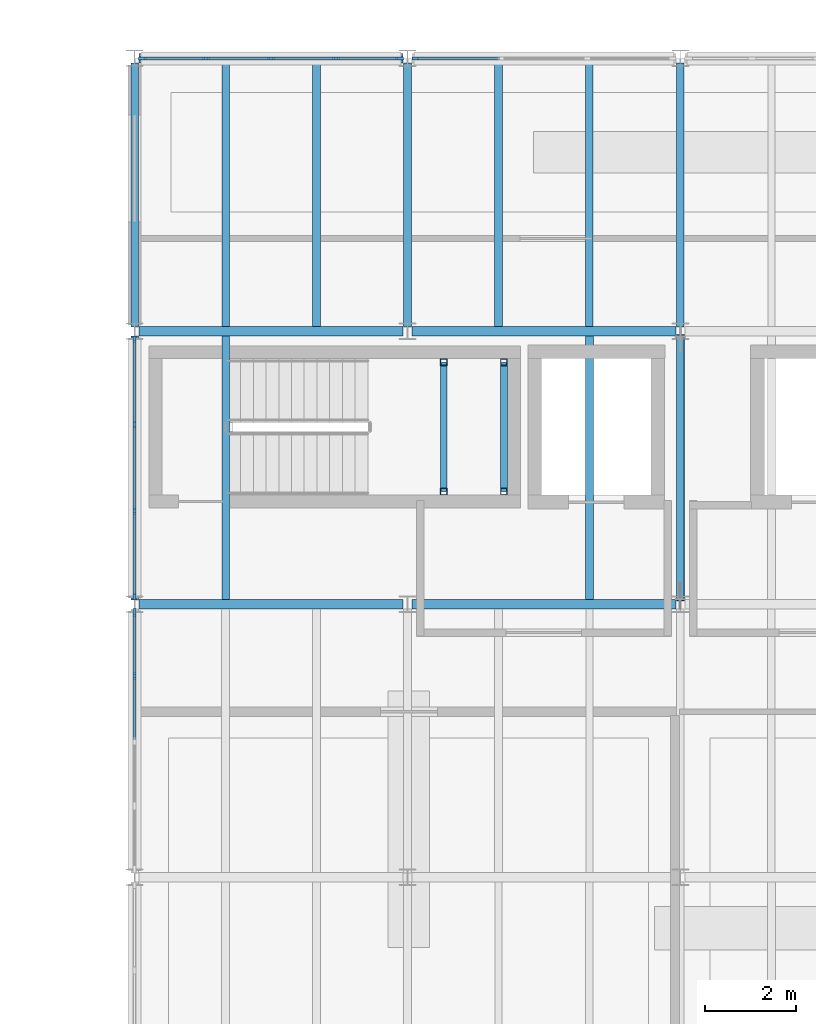
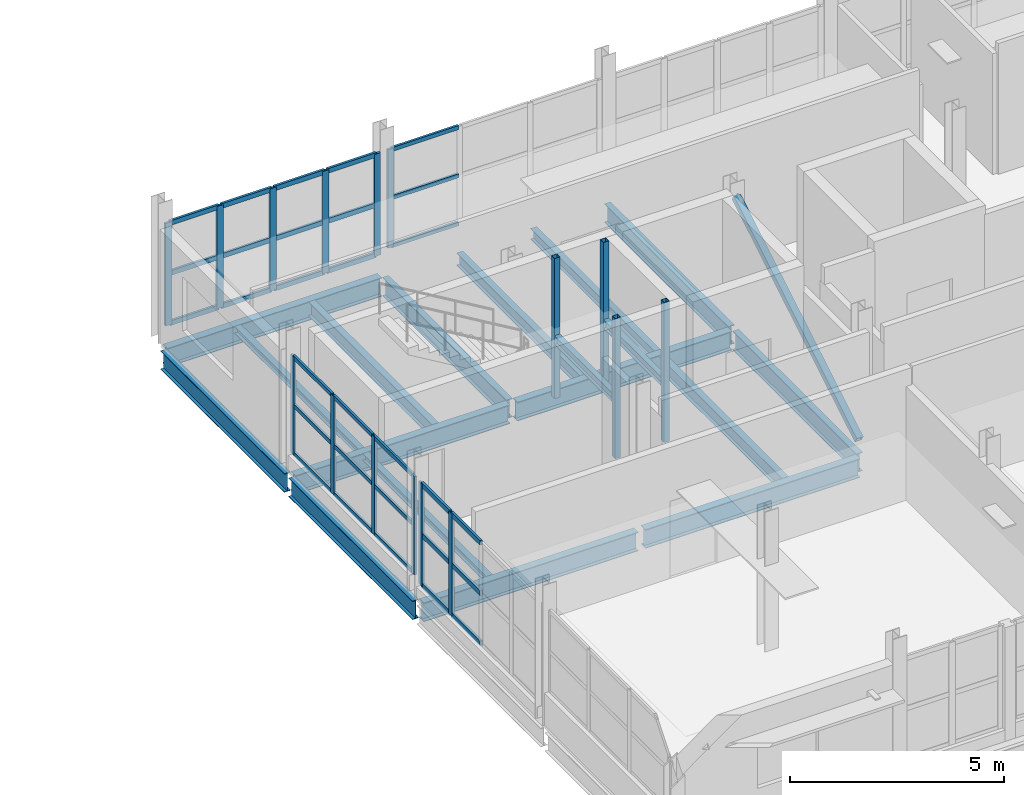
# One storey, part 17 of 45: 47 members, 18 beams, 4 elements without a shape of their own.
"""IFC4 building model written with IfcOpenShell, lengths in metres."""

from ifc_helpers import new_model, si_unit, direction, frame, origin, origin_2d, place, context, subcontext, project, spatial, rectangle, hollow_rectangle, i_section, extrude, material, material_profile, profile_set, type_object, element, aggregate, save


model = new_model("IFC4")

# Units and contexts
model_context = context("Model", 3, precision=1e-05, world=origin(), true_north=direction((0.0, 1.0)))
body_context = subcontext(model_context, "Body", "Model", "MODEL_VIEW")
ifc_project = project(units=[si_unit("LENGTHUNIT", "METRE"), si_unit("AREAUNIT", "SQUARE_METRE"), si_unit("VOLUMEUNIT", "CUBIC_METRE"), si_unit("PLANEANGLEUNIT", "RADIAN"), si_unit("MASSUNIT", "GRAM", prefix="KILO")], contexts=[model_context])

# Site, building, storey
site_placement = place(None, origin())
site = spatial("IfcSite", under=ifc_project, at=site_placement, CompositionType="ELEMENT")
building_placement = place(site_placement, origin())
building = spatial("IfcBuilding", under=site, at=building_placement, Name="Siltcreek Boulevard Central Fire Station", CompositionType="ELEMENT")
storey_placement = place(building_placement, frame((0.0, 0.0, 10.0)))
storey = spatial("IfcBuildingStorey", under=building, at=storey_placement, Name="L03", CompositionType="ELEMENT", Elevation=10.0)

# Beams
ifc_material_1 = material(Name="Structural steel ASTM A992 Gr50", Category="steel")
ifc_material_profile_1 = material_profile(ifc_material_1, i_section(OverallWidth=0.2109375, OverallDepth=0.5390625, WebThickness=0.01171875, FlangeThickness=0.018798828125, at=origin_2d()), Name="W530X109")
ifc_profile_set_1 = profile_set([ifc_material_profile_1], Name="Structural steel ASTM A992 Gr50")
beam_type_1 = type_object("IfcBeamType", Name="BM_W530X109", PredefinedType="BEAM", material=ifc_profile_set_1)
for number, where, z_axis, x_axis, name in (
    (1, (124.300048828125, 100.199951171875, -0.549560546875), (1.0, 0.0, 0.0), (0.0, 1.0, 0.0), "L03 primary steel girder GX-0414"),
    (2, (130.300048828125, 100.199951171875, -0.549560546875), (1.0, 0.0, 0.0), (0.0, 1.0, 0.0), "L03 primary steel girder GX-0415"),
    (3, (124.300048828125, 106.199951171875, -0.549560546875), (1.0, 0.0, 0.0), (0.0, 1.0, 0.0), "L03 primary steel girder GX-0421"),
    (4, (130.300048828125, 106.199951171875, -0.549560546875), (1.0, 0.0, 0.0), (0.0, 1.0, 0.0), "L03 primary steel girder GX-0422"),
    (5, (124.300048828125, 112.199951171875, -0.549560546875), (1.0, 0.0, 0.0), (0.0, 1.0, 0.0), "L03 primary steel girder GX-0428"),
):
    element("IfcBeam", number, at=place(storey_placement, frame(where, z_axis=z_axis, x_axis=x_axis)), inside=storey, type_object=beam_type_1, Name=name, PredefinedType="BEAM", context=body_context, shape_type="SweptSolid", body=[
        extrude(i_section(OverallWidth=0.2109375, OverallDepth=0.5390625, WebThickness=0.01171875, FlangeThickness=0.018798828125, at=origin_2d()), origin(), (0.0, 0.0, 1.0), 5.800048828125),
    ])
ifc_material_profile_2 = material_profile(ifc_material_1, i_section(OverallWidth=0.166015625, OverallDepth=0.534912109375, WebThickness=0.01025390625, FlangeThickness=0.0166015625, at=origin_2d()), Name="W530X85")
ifc_profile_set_2 = profile_set([ifc_material_profile_2], Name="Structural steel ASTM A992 Gr50")
beam_type_2 = type_object("IfcBeamType", Name="BM_W530X85", PredefinedType="BEAM", material=ifc_profile_set_2)
for number, where, z_axis, x_axis, name in (
    (6, (124.199951171875, 100.300048828125, -0.547607421875), (0.0, 1.0, 0.0), (-1.0, 0.0, 0.0), "L03 primary steel girder GY-0437"),
    (7, (124.199951171875, 106.300048828125, -0.547607421875), (0.0, 1.0, 0.0), (-1.0, 0.0, 0.0), "L03 primary steel girder GY-0438"),
    (8, (130.199951171875, 106.300048828125, -0.547607421875), (0.0, 1.0, 0.0), (-1.0, 0.0, 0.0), "L03 primary steel girder GY-0441"),
    (9, (136.199951171875, 100.300048828125, -0.547607421875), (0.0, 1.0, 0.0), (-1.0, 0.0, 0.0), "L03 primary steel girder GY-0444"),
    (10, (136.199951171875, 106.300048828125, -0.547607421875), (0.0, 1.0, 0.0), (-1.0, 0.0, 0.0), "L03 primary steel girder GY-0445"),
):
    element("IfcBeam", number, at=place(storey_placement, frame(where, z_axis=z_axis, x_axis=x_axis)), inside=storey, type_object=beam_type_2, Name=name, PredefinedType="BEAM", context=body_context, shape_type="SweptSolid", body=[
        extrude(i_section(OverallWidth=0.166015625, OverallDepth=0.534912109375, WebThickness=0.01025390625, FlangeThickness=0.0166015625, at=origin_2d()), origin(), (0.0, 0.0, 1.0), 5.800048828125),
    ])

# Members
ifc_material_2 = material(Name="Structural steel ASTM A500 GrC", Category="steel")
ifc_material_profile_3 = material_profile(ifc_material_2, hollow_rectangle(XDim=0.14990234375, YDim=0.14990234375, WallThickness=0.008056640625, at=origin_2d()), Name="HSS150X150X8.0")
ifc_profile_set_3 = profile_set([ifc_material_profile_3], Name="Structural steel ASTM A500 GrC")
member_type_1 = type_object("IfcMemberType", Name="BR_HSS150_8", PredefinedType="BRACE", material=ifc_profile_set_3)
for number, where, z_axis, x_axis, name in (
    (11, (131.0, 102.679931640625, 0.0), (0.0, 0.0, 1.0), (1.0, 0.0, 0.0), "L03 ST-V5A stair landing corner post SW"),
    (12, (131.0, 105.52001953125, 0.0), (0.0, 0.0, 1.0), (1.0, 0.0, 0.0), "L03 ST-V5A stair landing corner post NW"),
    (13, (132.320068359375, 102.679931640625, 0.0), (0.0, 0.0, 1.0), (1.0, 0.0, 0.0), "L03 ST-V5A stair landing corner post SE"),
    (14, (132.320068359375, 105.52001953125, 0.0), (0.0, 0.0, 1.0), (1.0, 0.0, 0.0), "L03 ST-V5A stair landing corner post NE"),
):
    element("IfcMember", number, at=place(storey_placement, frame(where, z_axis=z_axis, x_axis=x_axis)), inside=storey, type_object=member_type_1, Name=name, PredefinedType="BRACE", context=body_context, shape_type="SweptSolid", body=[
        extrude(hollow_rectangle(XDim=0.14990234375, YDim=0.14990234375, WallThickness=0.008056640625, at=origin_2d()), origin(), (0.0, 0.0, 1.0), 4.0),
    ])
ifc_material_profile_4 = material_profile(ifc_material_2, hollow_rectangle(XDim=0.179931640625, YDim=0.179931640625, WallThickness=0.008056640625, at=origin_2d()), Name="HSS180X180X8.0")
ifc_profile_set_4 = profile_set([ifc_material_profile_4], Name="Structural steel ASTM A500 GrC")
member_type_2 = type_object("IfcMemberType", Name="BR_HSS180", PredefinedType="BRACE", material=ifc_profile_set_4)
member_1_placement = place(storey_placement, frame((136.199951171875, 100.320068359375, 0.10009765625), z_axis=(0.0, 0.857890513261, 0.513832528415), x_axis=(-1.0, 0.0, 0.0)))
element("IfcMember", 15, at=member_1_placement, inside=storey, type_object=member_type_2, Name="L03 buckling-restrained brace BR-034", PredefinedType="BRACE", context=body_context, shape_type="SweptSolid", body=[
    extrude(hollow_rectangle(XDim=0.179931640625, YDim=0.179931640625, WallThickness=0.008056640625, at=origin_2d()), origin(), (0.0, 0.0, 1.0), 6.714111328125),
])

# Curtain wall, member
ifc_material_3 = material(Name="Anodized aluminum and low-E insulated glazing", Category="aluminium")
curtain_wall_type_1 = type_object("IfcCurtainWallType", Name="CW_SYS_08", PredefinedType="USERDEFINED", material=ifc_material_3)
curtain_wall_1_placement = place(storey_placement, origin())
curtain_wall_1 = element("IfcCurtainWall", 16, at=curtain_wall_1_placement, inside=storey, type_object=curtain_wall_type_1, Name="L03 V5 unitised curtain wall CW-157", ObjectType="CURTAIN WALL", PredefinedType="USERDEFINED")
ifc_material_4 = material(Name="Anodized 6063-T6 aluminum framing", Category="aluminium")
ifc_material_profile_5 = material_profile(ifc_material_4, rectangle(XDim=0.06005859375, YDim=0.14990234375, at=origin_2d()), Name="MULL60X150")
ifc_profile_set_5 = profile_set([ifc_material_profile_5], Name="Anodized 6063-T6 aluminum framing")
member_type_3 = type_object("IfcMemberType", Name="CWM_60X150", PredefinedType="MULLION", material=ifc_profile_set_5)
member_2_placement = place(storey_placement, frame((130.375, 112.199951171875, 0.43994140625), z_axis=(0.0, 0.0, 1.0), x_axis=(0.0, -1.0, 0.0)))
member_2 = element("IfcMember", 17, at=member_2_placement, type_object=member_type_3, Name="CW-157 mullion 4", PredefinedType="MULLION", context=body_context, shape_type="SweptSolid", body=[
    extrude(rectangle(XDim=0.06005859375, YDim=0.14990234375, at=origin_2d()), origin(), (0.0, 0.0, 1.0), 2.80908203125),
])

# Curtain wall, members
curtain_wall_type_2 = type_object("IfcCurtainWallType", Name="CW_SYS_14", PredefinedType="USERDEFINED", material=ifc_material_3)
curtain_wall_2_placement = place(storey_placement, origin())
curtain_wall_2 = element("IfcCurtainWall", 18, at=curtain_wall_2_placement, inside=storey, type_object=curtain_wall_type_2, Name="L03 V5 unitised curtain wall CW-163", ObjectType="CURTAIN WALL", PredefinedType="USERDEFINED")
member_3_placement = place(storey_placement, frame((124.199951171875, 106.02490234375, 0.43994140625), z_axis=(0.0, 0.0, 1.0), x_axis=(1.0, 0.0, 0.0)))
member_3 = element("IfcMember", 19, at=member_3_placement, type_object=member_type_3, Name="CW-163 mullion 1", PredefinedType="MULLION", context=body_context, shape_type="SweptSolid", body=[
    extrude(rectangle(XDim=0.06005859375, YDim=0.14990234375, at=origin_2d()), origin(), (0.0, 0.0, 1.0), 2.81298828125),
])
member_4_placement = place(storey_placement, frame((124.199951171875, 104.151611328125, 0.43994140625), z_axis=(0.0, 0.0, 1.0), x_axis=(1.0, 0.0, 0.0)))
member_4 = element("IfcMember", 20, at=member_4_placement, type_object=member_type_3, Name="CW-163 mullion 2", PredefinedType="MULLION", context=body_context, shape_type="SweptSolid", body=[
    extrude(rectangle(XDim=0.06005859375, YDim=0.14990234375, at=origin_2d()), origin(), (0.0, 0.0, 1.0), 2.81298828125),
])
member_5_placement = place(storey_placement, frame((124.199951171875, 102.248291015625, 0.43994140625), z_axis=(0.0, 0.0, 1.0), x_axis=(1.0, 0.0, 0.0)))
member_5 = element("IfcMember", 21, at=member_5_placement, type_object=member_type_3, Name="CW-163 mullion 3", PredefinedType="MULLION", context=body_context, shape_type="SweptSolid", body=[
    extrude(rectangle(XDim=0.06005859375, YDim=0.14990234375, at=origin_2d()), origin(), (0.0, 0.0, 1.0), 2.81298828125),
])
member_6_placement = place(storey_placement, frame((124.199951171875, 100.375, 0.43994140625), z_axis=(0.0, 0.0, 1.0), x_axis=(1.0, 0.0, 0.0)))
member_6 = element("IfcMember", 22, at=member_6_placement, type_object=member_type_3, Name="CW-163 mullion 4", PredefinedType="MULLION", context=body_context, shape_type="SweptSolid", body=[
    extrude(rectangle(XDim=0.06005859375, YDim=0.14990234375, at=origin_2d()), origin(), (0.0, 0.0, 1.0), 2.81298828125),
])

curtain_wall_type_3 = type_object("IfcCurtainWallType", Name="CW_SYS_07", PredefinedType="USERDEFINED", material=ifc_material_3)
curtain_wall_3_placement = place(storey_placement, origin())
curtain_wall_3 = element("IfcCurtainWall", 23, at=curtain_wall_3_placement, inside=storey, type_object=curtain_wall_type_3, Name="L03 V5 unitised curtain wall CW-156", ObjectType="CURTAIN WALL", PredefinedType="USERDEFINED")
ifc_material_profile_6 = material_profile(ifc_material_4, rectangle(XDim=0.06494140625, YDim=0.175048828125, at=origin_2d()), Name="MULL65X175")
ifc_profile_set_6 = profile_set([ifc_material_profile_6], Name="Anodized 6063-T6 aluminum framing")
member_type_4 = type_object("IfcMemberType", Name="CWM_65X175", PredefinedType="MULLION", material=ifc_profile_set_6)
member_7_placement = place(storey_placement, frame((130.0224609375, 112.199951171875, 0.320068359375), z_axis=(0.0, 0.0, 1.0), x_axis=(0.0, -1.0, 0.0)))
member_7 = element("IfcMember", 24, at=member_7_placement, type_object=member_type_4, Name="CW-156 mullion 1", PredefinedType="MULLION", context=body_context, shape_type="SweptSolid", body=[
    extrude(rectangle(XDim=0.06494140625, YDim=0.175048828125, at=origin_2d()), origin(), (0.0, 0.0, 1.0), 2.928955078125),
])
member_8_placement = place(storey_placement, frame((128.62744140625, 112.199951171875, 0.320068359375), z_axis=(0.0, 0.0, 1.0), x_axis=(0.0, -1.0, 0.0)))
member_8 = element("IfcMember", 25, at=member_8_placement, type_object=member_type_4, Name="CW-156 mullion 2", PredefinedType="MULLION", context=body_context, shape_type="SweptSolid", body=[
    extrude(rectangle(XDim=0.06494140625, YDim=0.175048828125, at=origin_2d()), origin(), (0.0, 0.0, 1.0), 2.928955078125),
])
member_9_placement = place(storey_placement, frame((127.199951171875, 112.199951171875, 0.320068359375), z_axis=(0.0, 0.0, 1.0), x_axis=(0.0, -1.0, 0.0)))
member_9 = element("IfcMember", 26, at=member_9_placement, type_object=member_type_4, Name="CW-156 mullion 3", PredefinedType="MULLION", context=body_context, shape_type="SweptSolid", body=[
    extrude(rectangle(XDim=0.06494140625, YDim=0.175048828125, at=origin_2d()), origin(), (0.0, 0.0, 1.0), 2.928955078125),
])
member_10_placement = place(storey_placement, frame((125.7724609375, 112.199951171875, 0.320068359375), z_axis=(0.0, 0.0, 1.0), x_axis=(0.0, -1.0, 0.0)))
member_10 = element("IfcMember", 27, at=member_10_placement, type_object=member_type_4, Name="CW-156 mullion 4", PredefinedType="MULLION", context=body_context, shape_type="SweptSolid", body=[
    extrude(rectangle(XDim=0.06494140625, YDim=0.175048828125, at=origin_2d()), origin(), (0.0, 0.0, 1.0), 2.928955078125),
])
member_11_placement = place(storey_placement, frame((124.37744140625, 112.199951171875, 0.320068359375), z_axis=(0.0, 0.0, 1.0), x_axis=(0.0, -1.0, 0.0)))
member_11 = element("IfcMember", 28, at=member_11_placement, type_object=member_type_4, Name="CW-156 mullion 5", PredefinedType="MULLION", context=body_context, shape_type="SweptSolid", body=[
    extrude(rectangle(XDim=0.06494140625, YDim=0.175048828125, at=origin_2d()), origin(), (0.0, 0.0, 1.0), 2.928955078125),
])

curtain_wall_type_4 = type_object("IfcCurtainWallType", Name="CW_SYS_13", PredefinedType="USERDEFINED", material=ifc_material_3)
curtain_wall_4_placement = place(storey_placement, origin())
curtain_wall_4 = element("IfcCurtainWall", 29, at=curtain_wall_4_placement, inside=storey, type_object=curtain_wall_type_4, Name="L03 V5 unitised curtain wall CW-162", ObjectType="CURTAIN WALL", PredefinedType="USERDEFINED")
member_12_placement = place(storey_placement, frame((124.199951171875, 100.0224609375, 0.320068359375), z_axis=(0.0, 0.0, 1.0), x_axis=(1.0, 0.0, 0.0)))
member_12 = element("IfcMember", 30, at=member_12_placement, type_object=member_type_4, Name="CW-162 mullion 1", PredefinedType="MULLION", context=body_context, shape_type="SweptSolid", body=[
    extrude(rectangle(XDim=0.06494140625, YDim=0.175048828125, at=origin_2d()), origin(), (0.0, 0.0, 1.0), 2.932861328125),
])
member_13_placement = place(storey_placement, frame((124.199951171875, 98.62744140625, 0.320068359375), z_axis=(0.0, 0.0, 1.0), x_axis=(1.0, 0.0, 0.0)))
member_13 = element("IfcMember", 31, at=member_13_placement, type_object=member_type_4, Name="CW-162 mullion 2", PredefinedType="MULLION", context=body_context, shape_type="SweptSolid", body=[
    extrude(rectangle(XDim=0.06494140625, YDim=0.175048828125, at=origin_2d()), origin(), (0.0, 0.0, 1.0), 2.932861328125),
])

# Member
ifc_material_profile_7 = material_profile(ifc_material_4, rectangle(XDim=0.06005859375, YDim=0.114990234375, at=origin_2d()), Name="TRAN60X115")
ifc_profile_set_7 = profile_set([ifc_material_profile_7], Name="Anodized 6063-T6 aluminum framing")
member_type_5 = type_object("IfcMemberType", Name="CWT_60X115", PredefinedType="USERDEFINED", material=ifc_profile_set_7)
member_14_placement = place(storey_placement, frame((132.21826171875, 112.199951171875, 0.469970703125), z_axis=(-1.0, 0.0, 0.0), x_axis=(0.0, -1.0, 0.0)))
member_14 = element("IfcMember", 32, at=member_14_placement, type_object=member_type_5, Name="CW-157 transom 3.1", ObjectType="TRANSOM", PredefinedType="USERDEFINED", context=body_context, shape_type="SweptSolid", body=[
    extrude(rectangle(XDim=0.06005859375, YDim=0.114990234375, at=origin_2d()), origin(), (0.0, 0.0, 1.0), 1.813232421875),
])

member_15_placement = place(storey_placement, frame((132.21826171875, 112.199951171875, 1.844482421875), z_axis=(-1.0, 0.0, 0.0), x_axis=(0.0, -1.0, 0.0)))
member_15 = element("IfcMember", 33, at=member_15_placement, type_object=member_type_5, Name="CW-157 transom 3.2", ObjectType="TRANSOM", PredefinedType="USERDEFINED", context=body_context, shape_type="SweptSolid", body=[
    extrude(rectangle(XDim=0.06005859375, YDim=0.114990234375, at=origin_2d()), origin(), (0.0, 0.0, 1.0), 1.813232421875),
])

member_16_placement = place(storey_placement, frame((132.21826171875, 112.199951171875, 3.218994140625), z_axis=(-1.0, 0.0, 0.0), x_axis=(0.0, -1.0, 0.0)))
member_16 = element("IfcMember", 34, at=member_16_placement, type_object=member_type_5, Name="CW-157 transom 3.3", ObjectType="TRANSOM", PredefinedType="USERDEFINED", context=body_context, shape_type="SweptSolid", body=[
    extrude(rectangle(XDim=0.06005859375, YDim=0.114990234375, at=origin_2d()), origin(), (0.0, 0.0, 1.0), 1.813232421875),
])

aggregate(curtain_wall_1, [member_2, member_14, member_15, member_16])

member_17_placement = place(storey_placement, frame((124.199951171875, 105.9951171875, 0.469970703125), z_axis=(0.0, -1.0, 0.0), x_axis=(1.0, 0.0, 0.0)))
member_17 = element("IfcMember", 35, at=member_17_placement, type_object=member_type_5, Name="CW-163 transom 1.1", ObjectType="TRANSOM", PredefinedType="USERDEFINED", context=body_context, shape_type="SweptSolid", body=[
    extrude(rectangle(XDim=0.06005859375, YDim=0.114990234375, at=origin_2d()), origin(), (0.0, 0.0, 1.0), 1.8134765625),
])

member_18_placement = place(storey_placement, frame((124.199951171875, 105.9951171875, 1.846435546875), z_axis=(0.0, -1.0, 0.0), x_axis=(1.0, 0.0, 0.0)))
member_18 = element("IfcMember", 36, at=member_18_placement, type_object=member_type_5, Name="CW-163 transom 1.2", ObjectType="TRANSOM", PredefinedType="USERDEFINED", context=body_context, shape_type="SweptSolid", body=[
    extrude(rectangle(XDim=0.06005859375, YDim=0.114990234375, at=origin_2d()), origin(), (0.0, 0.0, 1.0), 1.8134765625),
])

member_19_placement = place(storey_placement, frame((124.199951171875, 105.9951171875, 3.222900390625), z_axis=(0.0, -1.0, 0.0), x_axis=(1.0, 0.0, 0.0)))
member_19 = element("IfcMember", 37, at=member_19_placement, type_object=member_type_5, Name="CW-163 transom 1.3", ObjectType="TRANSOM", PredefinedType="USERDEFINED", context=body_context, shape_type="SweptSolid", body=[
    extrude(rectangle(XDim=0.06005859375, YDim=0.114990234375, at=origin_2d()), origin(), (0.0, 0.0, 1.0), 1.8134765625),
])

member_20_placement = place(storey_placement, frame((124.199951171875, 104.12158203125, 0.469970703125), z_axis=(0.0, -1.0, 0.0), x_axis=(1.0, 0.0, 0.0)))
member_20 = element("IfcMember", 38, at=member_20_placement, type_object=member_type_5, Name="CW-163 transom 2.1", ObjectType="TRANSOM", PredefinedType="USERDEFINED", context=body_context, shape_type="SweptSolid", body=[
    extrude(rectangle(XDim=0.06005859375, YDim=0.114990234375, at=origin_2d()), origin(), (0.0, 0.0, 1.0), 1.84326171875),
])

member_21_placement = place(storey_placement, frame((124.199951171875, 104.12158203125, 1.846435546875), z_axis=(0.0, -1.0, 0.0), x_axis=(1.0, 0.0, 0.0)))
member_21 = element("IfcMember", 39, at=member_21_placement, type_object=member_type_5, Name="CW-163 transom 2.2", ObjectType="TRANSOM", PredefinedType="USERDEFINED", context=body_context, shape_type="SweptSolid", body=[
    extrude(rectangle(XDim=0.06005859375, YDim=0.114990234375, at=origin_2d()), origin(), (0.0, 0.0, 1.0), 1.84326171875),
])

member_22_placement = place(storey_placement, frame((124.199951171875, 104.12158203125, 3.222900390625), z_axis=(0.0, -1.0, 0.0), x_axis=(1.0, 0.0, 0.0)))
member_22 = element("IfcMember", 40, at=member_22_placement, type_object=member_type_5, Name="CW-163 transom 2.3", ObjectType="TRANSOM", PredefinedType="USERDEFINED", context=body_context, shape_type="SweptSolid", body=[
    extrude(rectangle(XDim=0.06005859375, YDim=0.114990234375, at=origin_2d()), origin(), (0.0, 0.0, 1.0), 1.84326171875),
])

member_23_placement = place(storey_placement, frame((124.199951171875, 102.21826171875, 0.469970703125), z_axis=(0.0, -1.0, 0.0), x_axis=(1.0, 0.0, 0.0)))
member_23 = element("IfcMember", 41, at=member_23_placement, type_object=member_type_5, Name="CW-163 transom 3.1", ObjectType="TRANSOM", PredefinedType="USERDEFINED", context=body_context, shape_type="SweptSolid", body=[
    extrude(rectangle(XDim=0.06005859375, YDim=0.114990234375, at=origin_2d()), origin(), (0.0, 0.0, 1.0), 1.813232421875),
])

member_24_placement = place(storey_placement, frame((124.199951171875, 102.21826171875, 1.846435546875), z_axis=(0.0, -1.0, 0.0), x_axis=(1.0, 0.0, 0.0)))
member_24 = element("IfcMember", 42, at=member_24_placement, type_object=member_type_5, Name="CW-163 transom 3.2", ObjectType="TRANSOM", PredefinedType="USERDEFINED", context=body_context, shape_type="SweptSolid", body=[
    extrude(rectangle(XDim=0.06005859375, YDim=0.114990234375, at=origin_2d()), origin(), (0.0, 0.0, 1.0), 1.813232421875),
])

member_25_placement = place(storey_placement, frame((124.199951171875, 102.21826171875, 3.222900390625), z_axis=(0.0, -1.0, 0.0), x_axis=(1.0, 0.0, 0.0)))
member_25 = element("IfcMember", 43, at=member_25_placement, type_object=member_type_5, Name="CW-163 transom 3.3", ObjectType="TRANSOM", PredefinedType="USERDEFINED", context=body_context, shape_type="SweptSolid", body=[
    extrude(rectangle(XDim=0.06005859375, YDim=0.114990234375, at=origin_2d()), origin(), (0.0, 0.0, 1.0), 1.813232421875),
])

aggregate(curtain_wall_2, [member_3, member_4, member_5, member_6, member_17, member_18, member_19, member_20, member_21, member_22, member_23, member_24, member_25])

ifc_material_profile_8 = material_profile(ifc_material_4, rectangle(XDim=0.06494140625, YDim=0.135009765625, at=origin_2d()), Name="TRAN65X135")
ifc_profile_set_8 = profile_set([ifc_material_profile_8], Name="Anodized 6063-T6 aluminum framing")
member_type_6 = type_object("IfcMemberType", Name="CWT_65X135", PredefinedType="USERDEFINED", material=ifc_profile_set_8)
member_26_placement = place(storey_placement, frame((129.989990234375, 112.199951171875, 0.3525390625), z_axis=(-1.0, 0.0, 0.0), x_axis=(0.0, -1.0, 0.0)))
member_26 = element("IfcMember", 44, at=member_26_placement, type_object=member_type_6, Name="CW-156 transom 1.1", ObjectType="TRANSOM", PredefinedType="USERDEFINED", context=body_context, shape_type="SweptSolid", body=[
    extrude(rectangle(XDim=0.06494140625, YDim=0.135009765625, at=origin_2d()), origin(), (0.0, 0.0, 1.0), 1.330078125),
])

member_27_placement = place(storey_placement, frame((129.989990234375, 112.199951171875, 1.784423828125), z_axis=(-1.0, 0.0, 0.0), x_axis=(0.0, -1.0, 0.0)))
member_27 = element("IfcMember", 45, at=member_27_placement, type_object=member_type_6, Name="CW-156 transom 1.2", ObjectType="TRANSOM", PredefinedType="USERDEFINED", context=body_context, shape_type="SweptSolid", body=[
    extrude(rectangle(XDim=0.06494140625, YDim=0.135009765625, at=origin_2d()), origin(), (0.0, 0.0, 1.0), 1.330078125),
])

member_28_placement = place(storey_placement, frame((129.989990234375, 112.199951171875, 3.216552734375), z_axis=(-1.0, 0.0, 0.0), x_axis=(0.0, -1.0, 0.0)))
member_28 = element("IfcMember", 46, at=member_28_placement, type_object=member_type_6, Name="CW-156 transom 1.3", ObjectType="TRANSOM", PredefinedType="USERDEFINED", context=body_context, shape_type="SweptSolid", body=[
    extrude(rectangle(XDim=0.06494140625, YDim=0.135009765625, at=origin_2d()), origin(), (0.0, 0.0, 1.0), 1.330078125),
])

member_29_placement = place(storey_placement, frame((128.594970703125, 112.199951171875, 0.3525390625), z_axis=(-1.0, 0.0, 0.0), x_axis=(0.0, -1.0, 0.0)))
member_29 = element("IfcMember", 47, at=member_29_placement, type_object=member_type_6, Name="CW-156 transom 2.1", ObjectType="TRANSOM", PredefinedType="USERDEFINED", context=body_context, shape_type="SweptSolid", body=[
    extrude(rectangle(XDim=0.06494140625, YDim=0.135009765625, at=origin_2d()), origin(), (0.0, 0.0, 1.0), 1.362548828125),
])

member_30_placement = place(storey_placement, frame((128.594970703125, 112.199951171875, 1.784423828125), z_axis=(-1.0, 0.0, 0.0), x_axis=(0.0, -1.0, 0.0)))
member_30 = element("IfcMember", 48, at=member_30_placement, type_object=member_type_6, Name="CW-156 transom 2.2", ObjectType="TRANSOM", PredefinedType="USERDEFINED", context=body_context, shape_type="SweptSolid", body=[
    extrude(rectangle(XDim=0.06494140625, YDim=0.135009765625, at=origin_2d()), origin(), (0.0, 0.0, 1.0), 1.362548828125),
])

member_31_placement = place(storey_placement, frame((128.594970703125, 112.199951171875, 3.216552734375), z_axis=(-1.0, 0.0, 0.0), x_axis=(0.0, -1.0, 0.0)))
member_31 = element("IfcMember", 49, at=member_31_placement, type_object=member_type_6, Name="CW-156 transom 2.3", ObjectType="TRANSOM", PredefinedType="USERDEFINED", context=body_context, shape_type="SweptSolid", body=[
    extrude(rectangle(XDim=0.06494140625, YDim=0.135009765625, at=origin_2d()), origin(), (0.0, 0.0, 1.0), 1.362548828125),
])

member_32_placement = place(storey_placement, frame((127.16748046875, 112.199951171875, 0.3525390625), z_axis=(-1.0, 0.0, 0.0), x_axis=(0.0, -1.0, 0.0)))
member_32 = element("IfcMember", 50, at=member_32_placement, type_object=member_type_6, Name="CW-156 transom 3.1", ObjectType="TRANSOM", PredefinedType="USERDEFINED", context=body_context, shape_type="SweptSolid", body=[
    extrude(rectangle(XDim=0.06494140625, YDim=0.135009765625, at=origin_2d()), origin(), (0.0, 0.0, 1.0), 1.362548828125),
])

member_33_placement = place(storey_placement, frame((127.16748046875, 112.199951171875, 1.784423828125), z_axis=(-1.0, 0.0, 0.0), x_axis=(0.0, -1.0, 0.0)))
member_33 = element("IfcMember", 51, at=member_33_placement, type_object=member_type_6, Name="CW-156 transom 3.2", ObjectType="TRANSOM", PredefinedType="USERDEFINED", context=body_context, shape_type="SweptSolid", body=[
    extrude(rectangle(XDim=0.06494140625, YDim=0.135009765625, at=origin_2d()), origin(), (0.0, 0.0, 1.0), 1.362548828125),
])

member_34_placement = place(storey_placement, frame((127.16748046875, 112.199951171875, 3.216552734375), z_axis=(-1.0, 0.0, 0.0), x_axis=(0.0, -1.0, 0.0)))
member_34 = element("IfcMember", 52, at=member_34_placement, type_object=member_type_6, Name="CW-156 transom 3.3", ObjectType="TRANSOM", PredefinedType="USERDEFINED", context=body_context, shape_type="SweptSolid", body=[
    extrude(rectangle(XDim=0.06494140625, YDim=0.135009765625, at=origin_2d()), origin(), (0.0, 0.0, 1.0), 1.362548828125),
])

member_35_placement = place(storey_placement, frame((125.739990234375, 112.199951171875, 0.3525390625), z_axis=(-1.0, 0.0, 0.0), x_axis=(0.0, -1.0, 0.0)))
member_35 = element("IfcMember", 53, at=member_35_placement, type_object=member_type_6, Name="CW-156 transom 4.1", ObjectType="TRANSOM", PredefinedType="USERDEFINED", context=body_context, shape_type="SweptSolid", body=[
    extrude(rectangle(XDim=0.06494140625, YDim=0.135009765625, at=origin_2d()), origin(), (0.0, 0.0, 1.0), 1.330078125),
])

member_36_placement = place(storey_placement, frame((125.739990234375, 112.199951171875, 1.784423828125), z_axis=(-1.0, 0.0, 0.0), x_axis=(0.0, -1.0, 0.0)))
member_36 = element("IfcMember", 54, at=member_36_placement, type_object=member_type_6, Name="CW-156 transom 4.2", ObjectType="TRANSOM", PredefinedType="USERDEFINED", context=body_context, shape_type="SweptSolid", body=[
    extrude(rectangle(XDim=0.06494140625, YDim=0.135009765625, at=origin_2d()), origin(), (0.0, 0.0, 1.0), 1.330078125),
])

member_37_placement = place(storey_placement, frame((125.739990234375, 112.199951171875, 3.216552734375), z_axis=(-1.0, 0.0, 0.0), x_axis=(0.0, -1.0, 0.0)))
member_37 = element("IfcMember", 55, at=member_37_placement, type_object=member_type_6, Name="CW-156 transom 4.3", ObjectType="TRANSOM", PredefinedType="USERDEFINED", context=body_context, shape_type="SweptSolid", body=[
    extrude(rectangle(XDim=0.06494140625, YDim=0.135009765625, at=origin_2d()), origin(), (0.0, 0.0, 1.0), 1.330078125),
])

aggregate(curtain_wall_3, [member_7, member_8, member_9, member_10, member_11, member_26, member_27, member_28, member_29, member_30, member_31, member_32, member_33, member_34, member_35, member_36, member_37])

member_38_placement = place(storey_placement, frame((124.199951171875, 99.989990234375, 0.3525390625), z_axis=(0.0, -1.0, 0.0), x_axis=(1.0, 0.0, 0.0)))
member_38 = element("IfcMember", 56, at=member_38_placement, type_object=member_type_6, Name="CW-162 transom 1.1", ObjectType="TRANSOM", PredefinedType="USERDEFINED", context=body_context, shape_type="SweptSolid", body=[
    extrude(rectangle(XDim=0.06494140625, YDim=0.135009765625, at=origin_2d()), origin(), (0.0, 0.0, 1.0), 1.330078125),
])

member_39_placement = place(storey_placement, frame((124.199951171875, 99.989990234375, 1.78662109375), z_axis=(0.0, -1.0, 0.0), x_axis=(1.0, 0.0, 0.0)))
member_39 = element("IfcMember", 57, at=member_39_placement, type_object=member_type_6, Name="CW-162 transom 1.2", ObjectType="TRANSOM", PredefinedType="USERDEFINED", context=body_context, shape_type="SweptSolid", body=[
    extrude(rectangle(XDim=0.06494140625, YDim=0.135009765625, at=origin_2d()), origin(), (0.0, 0.0, 1.0), 1.330078125),
])

member_40_placement = place(storey_placement, frame((124.199951171875, 99.989990234375, 3.220458984375), z_axis=(0.0, -1.0, 0.0), x_axis=(1.0, 0.0, 0.0)))
member_40 = element("IfcMember", 58, at=member_40_placement, type_object=member_type_6, Name="CW-162 transom 1.3", ObjectType="TRANSOM", PredefinedType="USERDEFINED", context=body_context, shape_type="SweptSolid", body=[
    extrude(rectangle(XDim=0.06494140625, YDim=0.135009765625, at=origin_2d()), origin(), (0.0, 0.0, 1.0), 1.330078125),
])

member_41_placement = place(storey_placement, frame((124.199951171875, 98.594970703125, 0.3525390625), z_axis=(0.0, -1.0, 0.0), x_axis=(1.0, 0.0, 0.0)))
member_41 = element("IfcMember", 59, at=member_41_placement, type_object=member_type_6, Name="CW-162 transom 2.1", ObjectType="TRANSOM", PredefinedType="USERDEFINED", context=body_context, shape_type="SweptSolid", body=[
    extrude(rectangle(XDim=0.06494140625, YDim=0.135009765625, at=origin_2d()), origin(), (0.0, 0.0, 1.0), 1.362548828125),
])

member_42_placement = place(storey_placement, frame((124.199951171875, 98.594970703125, 1.78662109375), z_axis=(0.0, -1.0, 0.0), x_axis=(1.0, 0.0, 0.0)))
member_42 = element("IfcMember", 60, at=member_42_placement, type_object=member_type_6, Name="CW-162 transom 2.2", ObjectType="TRANSOM", PredefinedType="USERDEFINED", context=body_context, shape_type="SweptSolid", body=[
    extrude(rectangle(XDim=0.06494140625, YDim=0.135009765625, at=origin_2d()), origin(), (0.0, 0.0, 1.0), 1.362548828125),
])

member_43_placement = place(storey_placement, frame((124.199951171875, 98.594970703125, 3.220458984375), z_axis=(0.0, -1.0, 0.0), x_axis=(1.0, 0.0, 0.0)))
member_43 = element("IfcMember", 61, at=member_43_placement, type_object=member_type_6, Name="CW-162 transom 2.3", ObjectType="TRANSOM", PredefinedType="USERDEFINED", context=body_context, shape_type="SweptSolid", body=[
    extrude(rectangle(XDim=0.06494140625, YDim=0.135009765625, at=origin_2d()), origin(), (0.0, 0.0, 1.0), 1.362548828125),
])

aggregate(curtain_wall_4, [member_12, member_13, member_38, member_39, member_40, member_41, member_42, member_43])

# Beams
ifc_material_profile_9 = material_profile(ifc_material_1, i_section(OverallWidth=0.1650390625, OverallDepth=0.200927734375, WebThickness=0.006103515625, FlangeThickness=0.01025390625, at=origin_2d()), Name="W200X36")
ifc_profile_set_9 = profile_set([ifc_material_profile_9], Name="Structural steel ASTM A992 Gr50")
beam_type_3 = type_object("IfcBeamType", Name="JST_W200X36", PredefinedType="JOIST", material=ifc_profile_set_9)
for number, where, z_axis, x_axis, name in (
    (62, (126.199951171875, 100.303466796875, -0.380615234375), (0.0, 1.0, 0.0), (-1.0, 0.0, 0.0), "L03 secondary steel floor joist 0381"),
    (63, (126.199951171875, 106.303466796875, -0.380615234375), (0.0, 1.0, 0.0), (-1.0, 0.0, 0.0), "L03 secondary steel floor joist 0391"),
):
    element("IfcBeam", number, at=place(storey_placement, frame(where, z_axis=z_axis, x_axis=x_axis)), inside=storey, type_object=beam_type_3, Name=name, PredefinedType="JOIST", context=body_context, shape_type="SweptSolid", body=[
        extrude(i_section(OverallWidth=0.1650390625, OverallDepth=0.200927734375, WebThickness=0.006103515625, FlangeThickness=0.01025390625, at=origin_2d()), origin(), (0.0, 0.0, 1.0), 5.79296875),
    ])
ifc_material_profile_10 = material_profile(ifc_material_1, i_section(OverallWidth=0.14697265625, OverallDepth=0.261962890625, WebThickness=0.006591796875, FlangeThickness=0.01123046875, at=origin_2d()), Name="W250X39")
ifc_profile_set_10 = profile_set([ifc_material_profile_10], Name="Structural steel ASTM A992 Gr50")
beam_type_4 = type_object("IfcBeamType", Name="JST_W250X39", PredefinedType="JOIST", material=ifc_profile_set_10)
for number, where, z_axis, x_axis, name in (
    (64, (131.0, 102.679931640625, 1.6689453125), (0.0, 1.0, 0.0), (-1.0, 0.0, 0.0), "L03 ST-V5A stair landing bearer MIDW"),
    (65, (132.320068359375, 102.679931640625, 1.6689453125), (0.0, 1.0, 0.0), (-1.0, 0.0, 0.0), "L03 ST-V5A stair landing bearer MIDE"),
):
    element("IfcBeam", number, at=place(storey_placement, frame(where, z_axis=z_axis, x_axis=x_axis)), inside=storey, type_object=beam_type_4, Name=name, PredefinedType="JOIST", context=body_context, shape_type="SweptSolid", body=[
        extrude(i_section(OverallWidth=0.14697265625, OverallDepth=0.261962890625, WebThickness=0.006591796875, FlangeThickness=0.01123046875, at=origin_2d()), origin(), (0.0, 0.0, 1.0), 2.840087890625),
    ])
ifc_material_profile_11 = material_profile(ifc_material_1, i_section(OverallWidth=0.166015625, OverallDepth=0.31298828125, WebThickness=0.006591796875, FlangeThickness=0.01123046875, at=origin_2d()), Name="W310X45")
ifc_profile_set_11 = profile_set([ifc_material_profile_11], Name="Structural steel ASTM A992 Gr50")
beam_type_5 = type_object("IfcBeamType", Name="JST_W310X45", PredefinedType="JOIST", material=ifc_profile_set_11)
beam_1_placement = place(storey_placement, frame((134.199951171875, 106.303466796875, -0.4365234375), z_axis=(0.0, 1.0, 0.0), x_axis=(-1.0, 0.0, 0.0)))
element("IfcBeam", 66, at=beam_1_placement, inside=storey, type_object=beam_type_5, Name="L03 secondary steel floor joist 0394", PredefinedType="JOIST", context=body_context, shape_type="SweptSolid", body=[
    extrude(i_section(OverallWidth=0.166015625, OverallDepth=0.31298828125, WebThickness=0.006591796875, FlangeThickness=0.01123046875, at=origin_2d()), origin(), (0.0, 0.0, 1.0), 5.79296875),
])
ifc_material_profile_12 = material_profile(ifc_material_1, i_section(OverallWidth=0.172119140625, OverallDepth=0.35791015625, WebThickness=0.0078125, FlangeThickness=0.01318359375, at=origin_2d()), Name="W360X57")
ifc_profile_set_12 = profile_set([ifc_material_profile_12], Name="Structural steel ASTM A992 Gr50")
beam_type_6 = type_object("IfcBeamType", Name="JST_W360X57", PredefinedType="JOIST", material=ifc_profile_set_12)
beam_2_placement = place(storey_placement, frame((132.199951171875, 106.303466796875, -0.458984375), z_axis=(0.0, 1.0, 0.0), x_axis=(-1.0, 0.0, 0.0)))
element("IfcBeam", 67, at=beam_2_placement, inside=storey, type_object=beam_type_6, Name="L03 secondary steel floor joist 0393", PredefinedType="JOIST", context=body_context, shape_type="SweptSolid", body=[
    extrude(i_section(OverallWidth=0.172119140625, OverallDepth=0.35791015625, WebThickness=0.0078125, FlangeThickness=0.01318359375, at=origin_2d()), origin(), (0.0, 0.0, 1.0), 5.79296875),
])
ifc_material_profile_13 = material_profile(ifc_material_1, i_section(OverallWidth=0.177001953125, OverallDepth=0.403076171875, WebThickness=0.007568359375, FlangeThickness=0.010986328125, at=origin_2d()), Name="W410X53")
ifc_profile_set_13 = profile_set([ifc_material_profile_13], Name="Structural steel ASTM A992 Gr50")
beam_type_7 = type_object("IfcBeamType", Name="JST_W410X53", PredefinedType="JOIST", material=ifc_profile_set_13)
for number, where, z_axis, x_axis, name in (
    (68, (134.199951171875, 100.303466796875, -0.4814453125), (0.0, 1.0, 0.0), (-1.0, 0.0, 0.0), "L03 secondary steel floor joist 0382"),
    (69, (128.199951171875, 106.303466796875, -0.4814453125), (0.0, 1.0, 0.0), (-1.0, 0.0, 0.0), "L03 secondary steel floor joist 0392"),
):
    element("IfcBeam", number, at=place(storey_placement, frame(where, z_axis=z_axis, x_axis=x_axis)), inside=storey, type_object=beam_type_7, Name=name, PredefinedType="JOIST", context=body_context, shape_type="SweptSolid", body=[
        extrude(i_section(OverallWidth=0.177001953125, OverallDepth=0.403076171875, WebThickness=0.007568359375, FlangeThickness=0.010986328125, at=origin_2d()), origin(), (0.0, 0.0, 1.0), 5.79296875),
    ])

save(model, "model.ifc")
